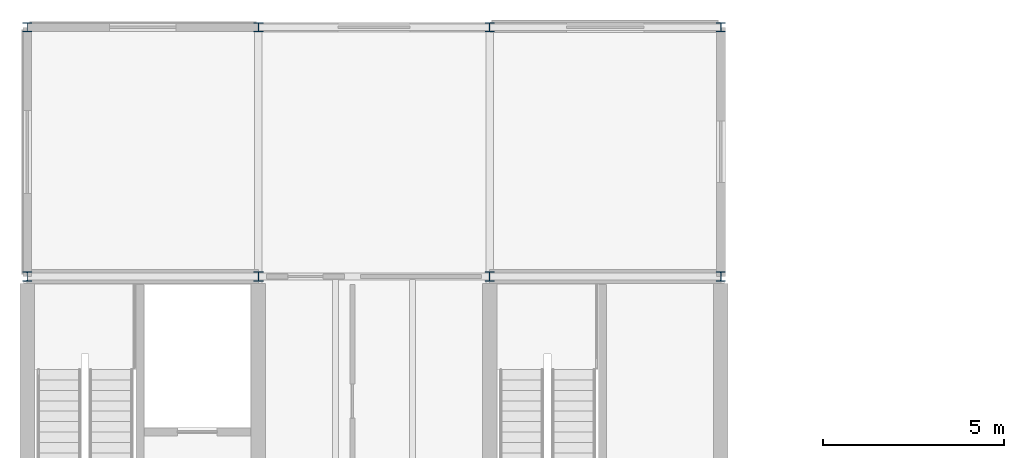
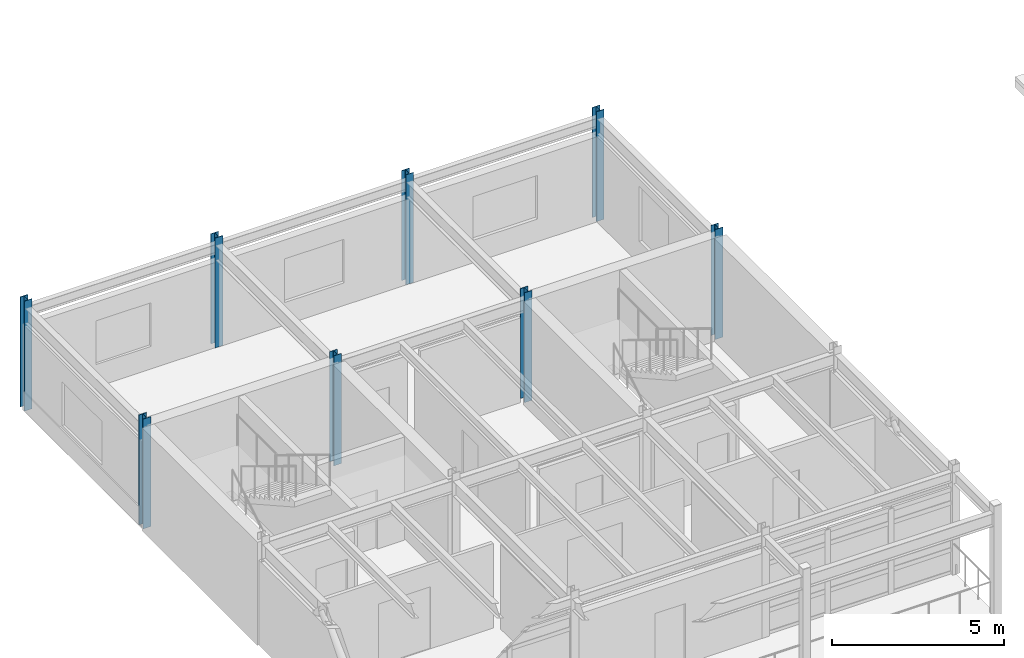
# One storey, part 5 of 26: 8 columns.
"""IFC4 building model written with IfcOpenShell, lengths in metres."""

from ifc_helpers import new_model, si_unit, direction, frame, origin, origin_2d, place, context, subcontext, project, spatial, i_section, extrude, material, material_profile, profile_set, type_object, element, save


model = new_model("IFC4")

# Units and contexts
model_context = context("Model", 3, precision=1e-05, world=origin(), true_north=direction((0.0, 1.0)))
body_context = subcontext(model_context, "Body", "Model", "MODEL_VIEW")
ifc_project = project(units=[si_unit("LENGTHUNIT", "METRE"), si_unit("AREAUNIT", "SQUARE_METRE"), si_unit("VOLUMEUNIT", "CUBIC_METRE"), si_unit("PLANEANGLEUNIT", "RADIAN"), si_unit("MASSUNIT", "GRAM", prefix="KILO")], contexts=[model_context])

# Site, building, storey
site_placement = place(None, origin())
site = spatial("IfcSite", under=ifc_project, at=site_placement, CompositionType="ELEMENT")
building_placement = place(site_placement, origin())
building = spatial("IfcBuilding", under=site, at=building_placement, Name="Trelmorton Wharf Fire Station", CompositionType="ELEMENT")
storey_placement = place(building_placement, frame((0.0, 0.0, 17.39990234375)))
storey = spatial("IfcBuildingStorey", under=building, at=storey_placement, Name="L04", CompositionType="ELEMENT", Elevation=17.39990234375)

# Columns
ifc_material = material(Name="Steel Grade 350", Category="steel")
ifc_material_profile = material_profile(ifc_material, i_section(OverallWidth=0.256103515625, OverallDepth=0.260009765625, WebThickness=0.010498046875, FlangeThickness=0.017333984375, FilletRadius=0.0126953125, at=origin_2d()), Name="250UC89.5")
ifc_profile_set = profile_set([ifc_material_profile], Name="Steel Grade 350")
column_type = type_object("IfcColumnType", Name="COL_250UC89", PredefinedType="COLUMN", material=ifc_profile_set)
for number, where, z_axis, x_axis, name in (
    (1, (70.800048828125, 74.10009765625, 0.0), (0.0, 0.0, 1.0), (1.0, 0.0, 0.0), "COL-L04-0695"),
    (2, (70.800048828125, 81.0, 0.0), (0.0, 0.0, 1.0), (1.0, 0.0, 0.0), "COL-L04-0696"),
    (3, (77.199951171875, 74.10009765625, 0.0), (0.0, 0.0, 1.0), (1.0, 0.0, 0.0), "COL-L04-0700"),
    (4, (77.199951171875, 81.0, 0.0), (0.0, 0.0, 1.0), (1.0, 0.0, 0.0), "COL-L04-0701"),
    (5, (83.60009765625, 74.10009765625, 0.0), (0.0, 0.0, 1.0), (1.0, 0.0, 0.0), "COL-L04-0705"),
    (6, (83.60009765625, 81.0, 0.0), (0.0, 0.0, 1.0), (1.0, 0.0, 0.0), "COL-L04-0706"),
    (7, (90.0, 74.10009765625, 0.0), (0.0, 0.0, 1.0), (1.0, 0.0, 0.0), "COL-L04-0710"),
    (8, (90.0, 81.0, 0.0), (0.0, 0.0, 1.0), (1.0, 0.0, 0.0), "COL-L04-0711"),
):
    element("IfcColumn", number, at=place(storey_placement, frame(where, z_axis=z_axis, x_axis=x_axis)), inside=storey, type_object=column_type, Name=name, PredefinedType="COLUMN", context=body_context, shape_type="SweptSolid", body=[
        extrude(i_section(OverallWidth=0.256103515625, OverallDepth=0.260009765625, WebThickness=0.010498046875, FlangeThickness=0.017333984375, FilletRadius=0.0126953125, at=origin_2d()), origin(), (0.0, 0.0, 1.0), 3.900146484375),
    ])

save(model, "model.ifc")
